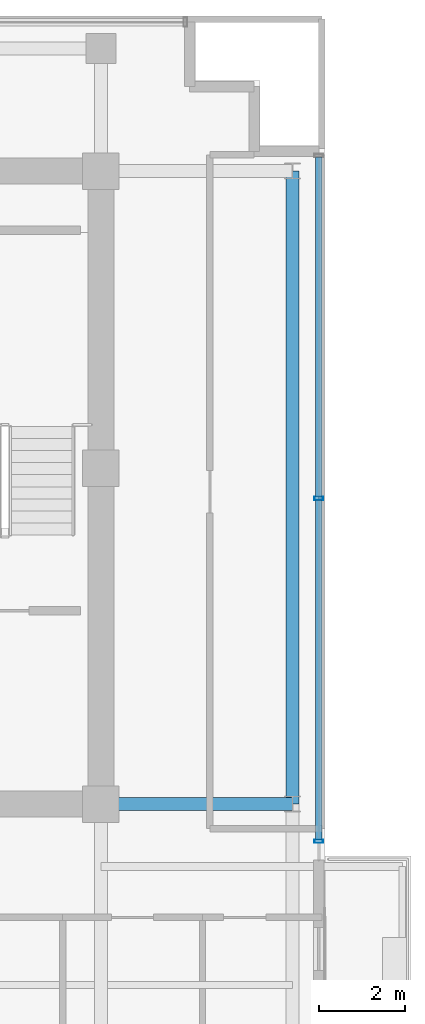
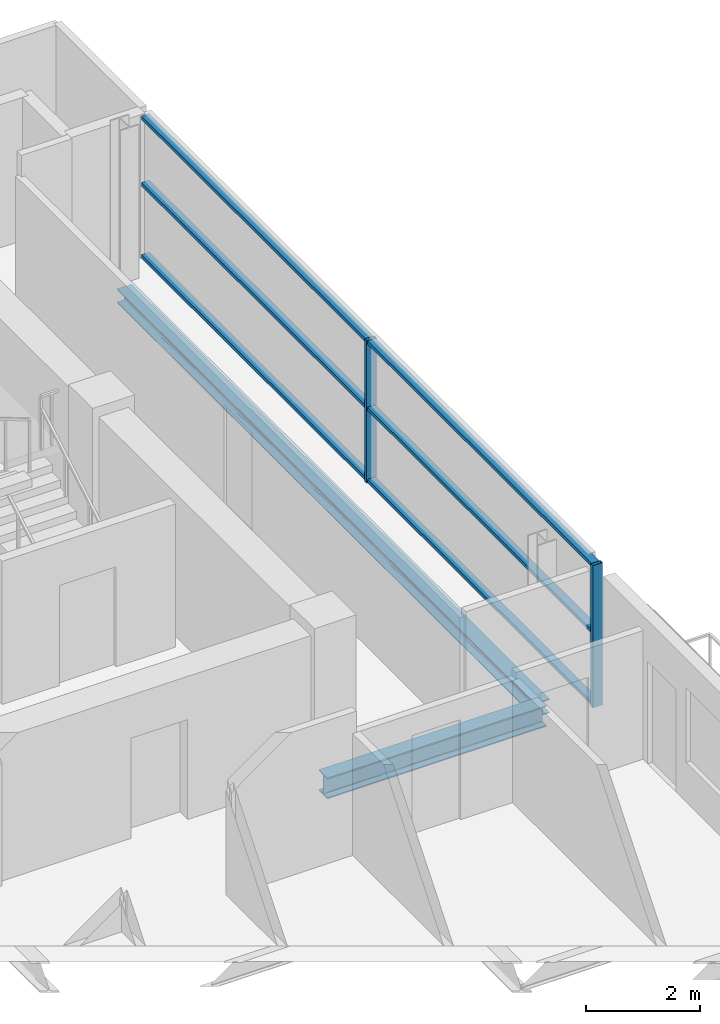
# One storey, part 11 of 22: 8 members, 2 beams, 1 element without a shape of its own.
"""IFC4 building model written with IfcOpenShell, lengths in metres."""

import ifcopenshell
import ifcopenshell.guid

model = None  # the IFC model being written
_history = None  # IfcOwnerHistory: only IFC2X3 demands one
_inside = {}  # id of a spatial element -> (the spatial element, [elements in it])
_under = {}  # id of a project, library or spatial element -> (it, [spatial elements below it])
_declared = {}  # id of a project -> (the project, [libraries it declares])
_typed = {}  # id of a type object -> (the type object, [elements of that type])
_made_of = {}  # id of a material, layer set ... -> (it, [elements and type objects made of it])


def new_model(schema):
    """Start an empty IFC model of exactly this schema.

    Asked for "IFC4X3", IfcOpenShell would pick the latest addendum, in which some entities
    have other attributes; the version numbers below select the first issue.
    IFC2X3 requires an IfcOwnerHistory on every rooted entity: one is made here for all.
    """
    global model, _history
    if schema == "IFC4X3":
        model = ifcopenshell.file(schema_version=(4, 3, 0, 0))
    else:
        model = ifcopenshell.file(schema=schema)
    _inside.clear()
    _under.clear()
    _declared.clear()
    _typed.clear()
    _made_of.clear()
    _history = None
    if model.schema == "IFC2X3":
        org = make("IfcOrganization", Name="unknown")
        user = make(
            "IfcPersonAndOrganization",
            ThePerson=make("IfcPerson", FamilyName="unknown"),
            TheOrganization=org,
        )
        app = make(
            "IfcApplication",
            ApplicationDeveloper=org,
            Version="unknown",
            ApplicationFullName="unknown",
            ApplicationIdentifier="unknown",
        )
        _history = make(
            "IfcOwnerHistory",
            OwningUser=user,
            OwningApplication=app,
            ChangeAction="ADDED",
            CreationDate=0,
        )
    return model


def make(cls, **values):
    """One entity of the class cls with the attributes given. An attribute that is None is left unset."""
    return model.create_entity(
        cls, **{name: value for name, value in values.items() if value is not None}
    )


def rooted(cls, **values):
    """An entity with a GlobalId (a new one), such as an element, a storey or a relation."""
    return make(cls, GlobalId=ifcopenshell.guid.new(), OwnerHistory=_history, **values)


def si_unit(unit_type, name, prefix=None):
    """IfcSIUnit, for example si_unit("LENGTHUNIT", "METRE", prefix="MILLI")."""
    return make("IfcSIUnit", UnitType=unit_type, Prefix=prefix, Name=name)


def assignment(units):
    """IfcUnitAssignment: the units of a project."""
    return None if units is None else make("IfcUnitAssignment", Units=units)


def point(xyz):
    """IfcCartesianPoint."""
    return None if xyz is None else make("IfcCartesianPoint", Coordinates=xyz)


def direction(xyz):
    """IfcDirection."""
    return None if xyz is None else make("IfcDirection", DirectionRatios=xyz)


def frame(location, z_axis=None, x_axis=None):
    """IfcAxis2Placement3D, a coordinate frame: its origin and axes. An axis left out is left unset."""
    return make(
        "IfcAxis2Placement3D",
        Location=point(location),
        Axis=direction(z_axis),
        RefDirection=direction(x_axis),
    )


def frame_2d(location, x_axis=None):
    """IfcAxis2Placement2D, a coordinate frame in the plane: its origin and x axis."""
    return make(
        "IfcAxis2Placement2D", Location=point(location), RefDirection=direction(x_axis)
    )


def origin():
    """The frame at (0, 0, 0) with its axes left unset."""
    return frame((0.0, 0.0, 0.0))


def origin_2d():
    """The frame at (0, 0) in the plane with its x axis left unset."""
    return frame_2d((0.0, 0.0))


def place(relative_to, where):
    """IfcLocalPlacement: puts the frame where relative to a parent placement (None: the world)."""
    return make(
        "IfcLocalPlacement", PlacementRelTo=relative_to, RelativePlacement=where
    )


def context(
    kind, dimensions, precision=None, world=None, true_north=None, identifier=None
):
    """IfcGeometricRepresentationContext, for example the 3D "Model" context."""
    return make(
        "IfcGeometricRepresentationContext",
        ContextIdentifier=identifier,
        ContextType=kind,
        CoordinateSpaceDimension=dimensions,
        Precision=precision,
        WorldCoordinateSystem=world,
        TrueNorth=true_north,
    )


def subcontext(parent, identifier, kind, view, scale=None):
    """IfcGeometricRepresentationSubContext, for example "Body" below "Model"."""
    return make(
        "IfcGeometricRepresentationSubContext",
        ContextIdentifier=identifier,
        ContextType=kind,
        ParentContext=parent,
        TargetScale=scale,
        TargetView=view,
    )


def project(units=None, contexts=None):
    """IfcProject with its units and contexts."""
    return rooted(
        "IfcProject",
        Name="project",
        RepresentationContexts=contexts,
        UnitsInContext=assignment(units),
    )


def spatial(cls, under=None, at=None, **own):
    """A site, building, storey or space (cls), placed at a placement, below another one or the project."""
    s = rooted(cls, ObjectPlacement=at, **own)
    if under is not None:
        _under.setdefault(under.id(), (under, []))[1].append(s)
    return s


def profile(cls, at=None, kind="AREA", **sizes):
    """A parametric profile (cls). Its sizes go by their IFC names, for example OverallWidth=200.0."""
    return make(cls, ProfileType=kind, Position=at, **sizes)


def hollow_rectangle(**sizes):
    """IfcRectangleHollowProfileDef."""
    return profile("IfcRectangleHollowProfileDef", **sizes)


def i_section(**sizes):
    """IfcIShapeProfileDef."""
    return profile("IfcIShapeProfileDef", **sizes)


def extrude(swept, where, along, depth):
    """IfcExtrudedAreaSolid: the profile swept, set in the frame where, extruded along a direction by depth."""
    return make(
        "IfcExtrudedAreaSolid",
        SweptArea=swept,
        Position=where,
        ExtrudedDirection=direction(along),
        Depth=depth,
    )


def shape(context_of_items, identifier, shape_type, items):
    """IfcShapeRepresentation: the items that make up one representation, for example the "Body"."""
    return make(
        "IfcShapeRepresentation",
        ContextOfItems=context_of_items,
        RepresentationIdentifier=identifier,
        RepresentationType=shape_type,
        Items=items,
    )


def source(mapping_origin, context_of_items, identifier, shape_type, items):
    """IfcRepresentationMap: a shape defined once, which mapped items show again and again."""
    return make(
        "IfcRepresentationMap",
        MappingOrigin=mapping_origin,
        MappedRepresentation=shape(context_of_items, identifier, shape_type, items),
    )


def transform(
    local_origin,
    x_axis=None,
    y_axis=None,
    z_axis=None,
    scale=None,
    scale2=None,
    scale3=None,
    uniform=True,
):
    """IfcCartesianTransformationOperator3D, or its non-uniform kind. x_axis, y_axis, z_axis: its Axis1, 2, 3."""
    if uniform:
        return make(
            "IfcCartesianTransformationOperator3D",
            Axis1=direction(x_axis),
            Axis2=direction(y_axis),
            LocalOrigin=point(local_origin),
            Scale=scale,
            Axis3=direction(z_axis),
        )
    return make(
        "IfcCartesianTransformationOperator3DnonUniform",
        Axis1=direction(x_axis),
        Axis2=direction(y_axis),
        LocalOrigin=point(local_origin),
        Scale=scale,
        Axis3=direction(z_axis),
        Scale2=scale2,
        Scale3=scale3,
    )


def mapped(mapping_source, mapping_target):
    """IfcMappedItem: shows the shape of a source again, moved by a transform."""
    return make(
        "IfcMappedItem", MappingSource=mapping_source, MappingTarget=mapping_target
    )


def material(Name=None, Category=None):
    """IfcMaterial."""
    return make("IfcMaterial", Name=Name, Category=Category)


def layer(
    of_material, thickness, ventilated=None, Name=None, Category=None, Priority=None
):
    """IfcMaterialLayer: one layer of a wall or slab, of a material (None: an air gap)."""
    return make(
        "IfcMaterialLayer",
        Material=of_material,
        LayerThickness=thickness,
        IsVentilated=ventilated,
        Name=Name,
        Category=Category,
        Priority=Priority,
    )


def layer_set(layers, Name=None):
    """IfcMaterialLayerSet."""
    return make("IfcMaterialLayerSet", MaterialLayers=layers, LayerSetName=Name)


def material_profile(
    of_material, cross_section, Name=None, Category=None, Priority=None
):
    """IfcMaterialProfile: a cross section and its material."""
    return make(
        "IfcMaterialProfile",
        Name=Name,
        Material=of_material,
        Profile=cross_section,
        Priority=Priority,
        Category=Category,
    )


def profile_set(profiles, Name=None, composite=None):
    """IfcMaterialProfileSet."""
    return make(
        "IfcMaterialProfileSet",
        Name=Name,
        MaterialProfiles=profiles,
        CompositeProfile=composite,
    )


def made_of(thing, what):
    """Note that an element or type object is made of a material, layer set ...; save() writes the relation."""
    if what is not None:
        _made_of.setdefault(what.id(), (what, []))[1].append(thing)
    return thing


def type_object(cls, material=None, **own):
    """A type object (cls), such as IfcWallType, which elements share."""
    return made_of(rooted(cls, **own), material)


def element(
    cls,
    number,
    at=None,
    inside=None,
    cuts=None,
    type_object=None,
    material=None,
    context=None,
    identifier="Body",
    shape_type=None,
    held_by="IfcProductDefinitionShape",
    body=None,
    shapes=None,
    **own,
):
    """One element of the class cls, such as IfcWall. Its Tag is "e" and its number.

    at: its placement. inside: the storey or other place that contains it. cuts: it is an
    opening in that element (IfcRelVoidsElement). A single representation is given by context,
    identifier, shape_type and body (its items); several are given by shapes. held_by: the class
    of the entity that holds the representations. save() writes the other relations.
    """
    e = rooted(cls, Tag="e%d" % number, ObjectPlacement=at, **own)
    if body is not None:
        shapes = [shape(context, identifier, shape_type, body)]
    if shapes is not None:
        e.Representation = make(held_by, Representations=shapes)
    if inside is not None:
        _inside.setdefault(inside.id(), (inside, []))[1].append(e)
    if cuts is not None:
        rooted(
            "IfcRelVoidsElement", RelatingBuildingElement=cuts, RelatedOpeningElement=e
        )
    if type_object is not None:
        _typed.setdefault(type_object.id(), (type_object, []))[1].append(e)
    return made_of(e, material)


def aggregate(whole, parts):
    """IfcRelAggregates: a whole, such as a stair, and the parts it consists of."""
    return rooted("IfcRelAggregates", RelatingObject=whole, RelatedObjects=parts)


def save(model, path):
    """Write the relations noted so far, then the file.

    IfcRelAggregates (storeys below a building ...), IfcRelContainedInSpatialStructure (elements
    in a storey), IfcRelDefinesByType, IfcRelAssociatesMaterial and IfcRelDeclares: one each for
    every whole, place, type object, material and project.
    """
    for whole, parts in _under.values():
        aggregate(whole, parts)
    for where, things in _inside.values():
        rooted(
            "IfcRelContainedInSpatialStructure",
            RelatedElements=things,
            RelatingStructure=where,
        )
    for kind, things in _typed.values():
        rooted("IfcRelDefinesByType", RelatedObjects=things, RelatingType=kind)
    for what, things in _made_of.values():
        rooted("IfcRelAssociatesMaterial", RelatedObjects=things, RelatingMaterial=what)
    for by, libraries in _declared.values():
        rooted("IfcRelDeclares", RelatingContext=by, RelatedDefinitions=libraries)
    model.write(path)


model = new_model("IFC4")

# Units and contexts
model_context = context("Model", 3, precision=1e-05, world=origin(), true_north=direction((0.0, 1.0)))
body_context = subcontext(model_context, "Body", "Model", "MODEL_VIEW")
ifc_project = project(units=[si_unit("LENGTHUNIT", "METRE"), si_unit("AREAUNIT", "SQUARE_METRE"), si_unit("VOLUMEUNIT", "CUBIC_METRE"), si_unit("PLANEANGLEUNIT", "RADIAN"), si_unit("MASSUNIT", "GRAM", prefix="KILO")], contexts=[model_context])

# Site, building, storey
site_placement = place(None, origin())
site = spatial("IfcSite", under=ifc_project, at=site_placement, CompositionType="ELEMENT")
building_placement = place(site_placement, origin())
building = spatial("IfcBuilding", under=site, at=building_placement, Name="Zarnakvel Exchange Tower", CompositionType="ELEMENT")
storey_placement = place(building_placement, frame((0.0, 0.0, 225.39990234375)))
storey = spatial("IfcBuildingStorey", under=building, at=storey_placement, Name="L63", CompositionType="ELEMENT", Elevation=225.39990234375)

# Beams
ifc_material_1 = material(Name="Steel S355", Category="steel")
ifc_material_profile_1 = material_profile(ifc_material_1, i_section(OverallWidth=0.300048828125, OverallDepth=0.449951171875, WebThickness=0.013916015625, FlangeThickness=0.02587890625, FilletRadius=0.027099609375, at=origin_2d()))
ifc_profile_set_1 = profile_set([ifc_material_profile_1], Name="Steel S355")
beam_type_1 = type_object("IfcBeamType", Name="G-07", PredefinedType="BEAM", material=ifc_profile_set_1)
beam_1_placement = place(storey_placement, frame((14.39990234375, -1.199951171875, -0.449951171875), z_axis=(1.0, 0.0, 0.0), x_axis=(0.0, 1.0, 0.0)))
element("IfcBeam", 1, at=beam_1_placement, inside=storey, type_object=beam_type_1, Name="L63 Tower E-W Frame Beam", PredefinedType="BEAM", context=body_context, shape_type="SweptSolid", body=[
    extrude(i_section(OverallWidth=0.300048828125, OverallDepth=0.449951171875, WebThickness=0.013916015625, FlangeThickness=0.02587890625, FilletRadius=0.027099609375, at=origin_2d()), origin(), (0.0, 0.0, 1.0), 4.4501953125),
])
ifc_material_profile_2 = material_profile(ifc_material_1, i_section(OverallWidth=0.300048828125, OverallDepth=0.300048828125, WebThickness=0.010986328125, FlangeThickness=0.01904296875, FilletRadius=0.027099609375, at=origin_2d()))
ifc_profile_set_2 = profile_set([ifc_material_profile_2], Name="Steel S355")
beam_type_2 = type_object("IfcBeamType", Name="SP-03", PredefinedType="SPANDREL", material=ifc_profile_set_2)
beam_2_placement = place(storey_placement, frame((18.85009765625, -1.199951171875, -0.375), z_axis=(0.0, 1.0, 0.0), x_axis=(-1.0, 0.0, 0.0)))
element("IfcBeam", 2, at=beam_2_placement, inside=storey, type_object=beam_type_2, Name="L63 Tower N-S Frame Beam", PredefinedType="SPANDREL", context=body_context, shape_type="SweptSolid", body=[
    extrude(i_section(OverallWidth=0.300048828125, OverallDepth=0.300048828125, WebThickness=0.010986328125, FlangeThickness=0.01904296875, FilletRadius=0.027099609375, at=origin_2d()), origin(), (0.0, 0.0, 1.0), 14.699951171875),
])

# Curtain wall, members
ifc_material_2 = material(Name="Architectural Bronze Anodised Aluminium", Category="aluminium")
ifc_layer = layer(ifc_material_2, 0.199951171875)
ifc_layer_set = layer_set([ifc_layer], Name="Architectural Bronze Anodised Aluminium")
curtain_wall_type = type_object("IfcCurtainWallType", Name="CW-04", PredefinedType="NOTDEFINED", material=ifc_layer_set)
curtain_wall_placement = place(storey_placement, origin())
curtain_wall = element("IfcCurtainWall", 3, at=curtain_wall_placement, inside=storey, type_object=curtain_wall_type, Name="L63 Curtain Wall CW-L63-EN (CW-04)", PredefinedType="NOTDEFINED")
ifc_material_profile_3 = material_profile(ifc_material_2, hollow_rectangle(XDim=0.199951171875, YDim=0.074951171875, WallThickness=0.0048828125, at=origin_2d()))
ifc_profile_set_3 = profile_set([ifc_material_profile_3], Name="Architectural Bronze Anodised Aluminium")
member_type_1 = type_object("IfcMemberType", Name="CWM-04", PredefinedType="MULLION", material=ifc_profile_set_3)
shared_shape_1 = source(origin(), body_context, "Body", "SweptSolid", [
    extrude(hollow_rectangle(XDim=0.199951171875, YDim=0.074951171875, WallThickness=0.0048828125, at=origin_2d()), origin(), (0.0, 0.0, 1.0), 3.05517578125),
])
member_1_placement = place(storey_placement, frame((19.4599609375, -2.0625, 0.0), z_axis=(0.0, 0.0, 1.0), x_axis=(-1.0, 0.0, 0.0)))
member_1 = element("IfcMember", 4, at=member_1_placement, type_object=member_type_1, Name="CW-04 mullion 1", PredefinedType="MULLION", context=body_context, shape_type="MappedRepresentation", body=[
    mapped(shared_shape_1, transform((0.0, 0.0, 0.0), x_axis=(1.0, 0.0, 0.0), y_axis=(0.0, 1.0, 0.0), z_axis=(0.0, 0.0, 1.0), scale=1.0)),
])
member_2_placement = place(storey_placement, frame((19.4599609375, 5.89990234375, 0.0), z_axis=(0.0, 0.0, 1.0), x_axis=(-1.0, 0.0, 0.0)))
member_2 = element("IfcMember", 5, at=member_2_placement, type_object=member_type_1, Name="CW-04 mullion 2", PredefinedType="MULLION", context=body_context, shape_type="MappedRepresentation", body=[
    mapped(shared_shape_1, transform((0.0, 0.0, 0.0), x_axis=(1.0, 0.0, 0.0), y_axis=(0.0, 1.0, 0.0), z_axis=(0.0, 0.0, 1.0), scale=1.0)),
])
ifc_material_profile_4 = material_profile(ifc_material_2, hollow_rectangle(XDim=0.159912109375, YDim=0.074951171875, WallThickness=0.00390625, at=origin_2d()))
ifc_profile_set_4 = profile_set([ifc_material_profile_4], Name="Architectural Bronze Anodised Aluminium")
member_type_2 = type_object("IfcMemberType", Name="CWT-04", PredefinedType="USERDEFINED", material=ifc_profile_set_4)
shared_shape_2 = source(origin(), body_context, "Body", "SweptSolid", [
    extrude(hollow_rectangle(XDim=0.159912109375, YDim=0.074951171875, WallThickness=0.00390625, at=origin_2d()), origin(), (0.0, 0.0, 1.0), 7.887451171875),
])
member_3_placement = place(storey_placement, frame((19.4599609375, -2.02490234375, 0.03759765625), z_axis=(0.0, 1.0, 0.0), x_axis=(-1.0, 0.0, 0.0)))
member_3 = element("IfcMember", 6, at=member_3_placement, type_object=member_type_2, Name="CW-04 transom 1.1", ObjectType="TRANSOM", PredefinedType="USERDEFINED", context=body_context, shape_type="MappedRepresentation", body=[
    mapped(shared_shape_2, transform((0.0, 0.0, 0.0), x_axis=(1.0, 0.0, 0.0), y_axis=(0.0, 1.0, 0.0), z_axis=(0.0, 0.0, 1.0), scale=1.0)),
])
member_4_placement = place(storey_placement, frame((19.4599609375, -2.02490234375, 1.588623046875), z_axis=(0.0, 1.0, 0.0), x_axis=(-1.0, 0.0, 0.0)))
member_4 = element("IfcMember", 7, at=member_4_placement, type_object=member_type_2, Name="CW-04 transom 1.2", ObjectType="TRANSOM", PredefinedType="USERDEFINED", context=body_context, shape_type="MappedRepresentation", body=[
    mapped(shared_shape_2, transform((0.0, 0.0, 0.0), x_axis=(1.0, 0.0, 0.0), y_axis=(0.0, 1.0, 0.0), z_axis=(0.0, 0.0, 1.0), scale=1.0)),
])
member_5_placement = place(storey_placement, frame((19.4599609375, -2.02490234375, 3.017578125), z_axis=(0.0, 1.0, 0.0), x_axis=(-1.0, 0.0, 0.0)))
member_5 = element("IfcMember", 8, at=member_5_placement, type_object=member_type_2, Name="CW-04 transom 1.3", ObjectType="TRANSOM", PredefinedType="USERDEFINED", context=body_context, shape_type="MappedRepresentation", body=[
    mapped(shared_shape_2, transform((0.0, 0.0, 0.0), x_axis=(1.0, 0.0, 0.0), y_axis=(0.0, 1.0, 0.0), z_axis=(0.0, 0.0, 1.0), scale=1.0)),
])
member_6_placement = place(storey_placement, frame((19.4599609375, 5.9375, 0.03759765625), z_axis=(0.0, 1.0, 0.0), x_axis=(-1.0, 0.0, 0.0)))
member_6 = element("IfcMember", 9, at=member_6_placement, type_object=member_type_2, Name="CW-04 transom 2.1", ObjectType="TRANSOM", PredefinedType="USERDEFINED", context=body_context, shape_type="MappedRepresentation", body=[
    mapped(shared_shape_2, transform((0.0, 0.0, 0.0), x_axis=(1.0, 0.0, 0.0), y_axis=(0.0, 1.0, 0.0), z_axis=(0.0, 0.0, 1.0), scale=1.0)),
])
member_7_placement = place(storey_placement, frame((19.4599609375, 5.9375, 1.588623046875), z_axis=(0.0, 1.0, 0.0), x_axis=(-1.0, 0.0, 0.0)))
member_7 = element("IfcMember", 10, at=member_7_placement, type_object=member_type_2, Name="CW-04 transom 2.2", ObjectType="TRANSOM", PredefinedType="USERDEFINED", context=body_context, shape_type="MappedRepresentation", body=[
    mapped(shared_shape_2, transform((0.0, 0.0, 0.0), x_axis=(1.0, 0.0, 0.0), y_axis=(0.0, 1.0, 0.0), z_axis=(0.0, 0.0, 1.0), scale=1.0)),
])
member_8_placement = place(storey_placement, frame((19.4599609375, 5.9375, 3.017578125), z_axis=(0.0, 1.0, 0.0), x_axis=(-1.0, 0.0, 0.0)))
member_8 = element("IfcMember", 11, at=member_8_placement, type_object=member_type_2, Name="CW-04 transom 2.3", ObjectType="TRANSOM", PredefinedType="USERDEFINED", context=body_context, shape_type="MappedRepresentation", body=[
    mapped(shared_shape_2, transform((0.0, 0.0, 0.0), x_axis=(1.0, 0.0, 0.0), y_axis=(0.0, 1.0, 0.0), z_axis=(0.0, 0.0, 1.0), scale=1.0)),
])
aggregate(curtain_wall, [member_1, member_2, member_3, member_4, member_5, member_6, member_7, member_8])

save(model, "model.ifc")
